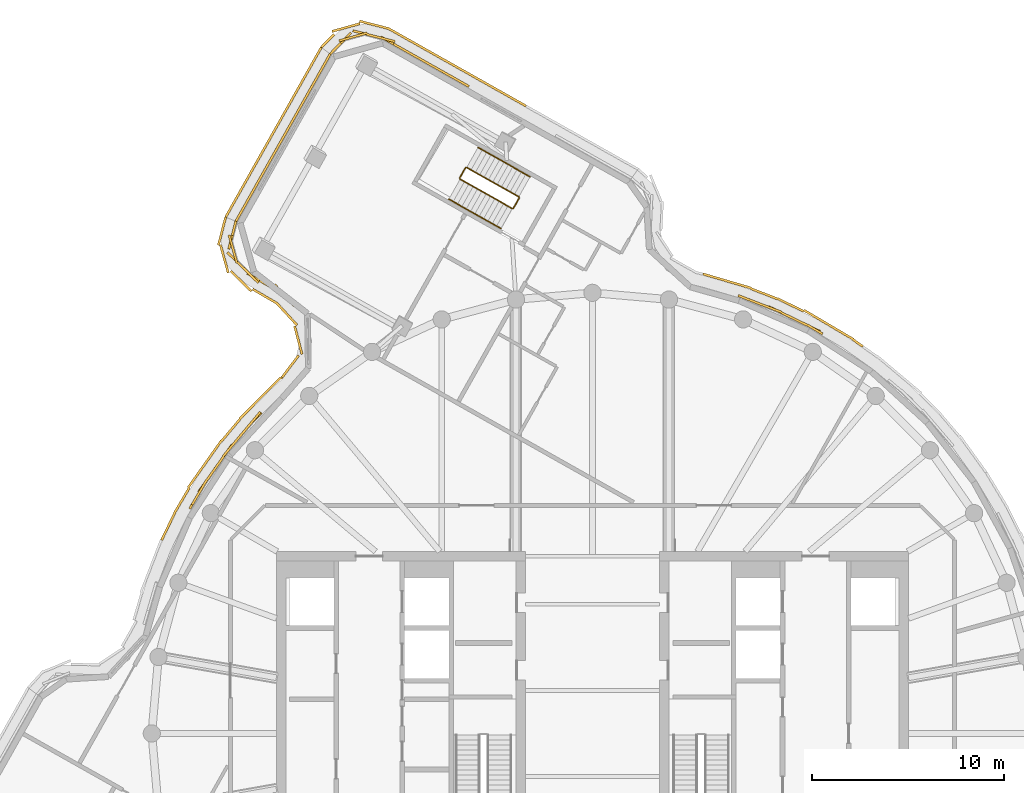
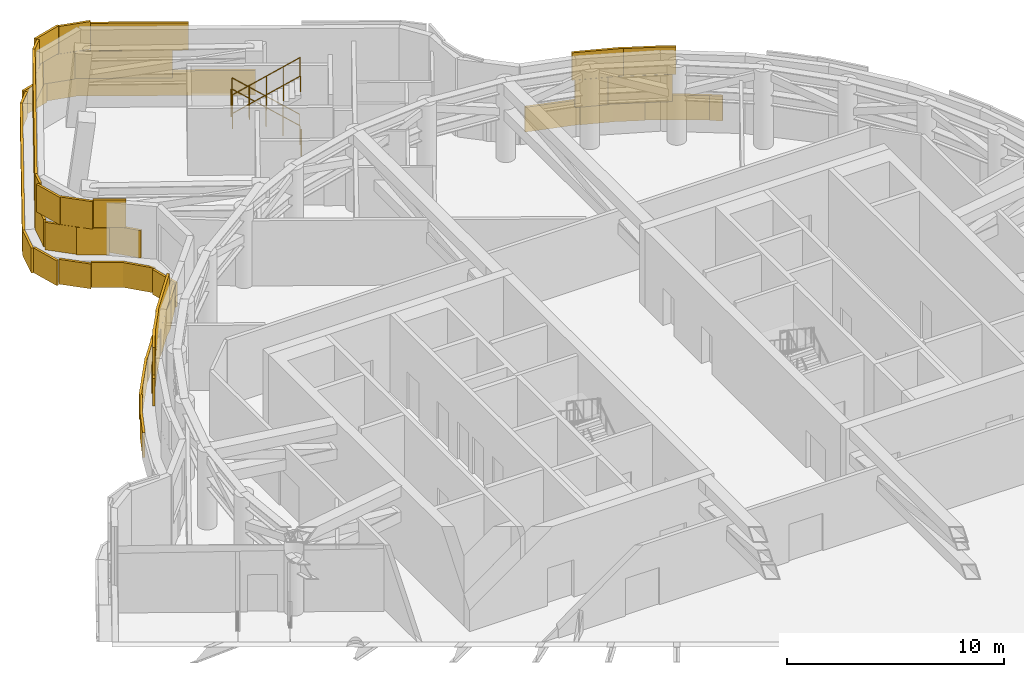
# One storey, part 14 of 15: 6 railings, 5 coverings.
"""IFC4 building model written with IfcOpenShell, lengths in metres."""

import ifcopenshell
import ifcopenshell.guid

model = None  # the IFC model being written
_history = None  # IfcOwnerHistory: only IFC2X3 demands one
_inside = {}  # id of a spatial element -> (the spatial element, [elements in it])
_under = {}  # id of a project, library or spatial element -> (it, [spatial elements below it])
_declared = {}  # id of a project -> (the project, [libraries it declares])
_typed = {}  # id of a type object -> (the type object, [elements of that type])
_made_of = {}  # id of a material, layer set ... -> (it, [elements and type objects made of it])


def new_model(schema):
    """Start an empty IFC model of exactly this schema.

    Asked for "IFC4X3", IfcOpenShell would pick the latest addendum, in which some entities
    have other attributes; the version numbers below select the first issue.
    IFC2X3 requires an IfcOwnerHistory on every rooted entity: one is made here for all.
    """
    global model, _history
    if schema == "IFC4X3":
        model = ifcopenshell.file(schema_version=(4, 3, 0, 0))
    else:
        model = ifcopenshell.file(schema=schema)
    _inside.clear()
    _under.clear()
    _declared.clear()
    _typed.clear()
    _made_of.clear()
    _history = None
    if model.schema == "IFC2X3":
        org = make("IfcOrganization", Name="unknown")
        user = make(
            "IfcPersonAndOrganization",
            ThePerson=make("IfcPerson", FamilyName="unknown"),
            TheOrganization=org,
        )
        app = make(
            "IfcApplication",
            ApplicationDeveloper=org,
            Version="unknown",
            ApplicationFullName="unknown",
            ApplicationIdentifier="unknown",
        )
        _history = make(
            "IfcOwnerHistory",
            OwningUser=user,
            OwningApplication=app,
            ChangeAction="ADDED",
            CreationDate=0,
        )
    return model


def make(cls, **values):
    """One entity of the class cls with the attributes given. An attribute that is None is left unset."""
    return model.create_entity(
        cls, **{name: value for name, value in values.items() if value is not None}
    )


def rooted(cls, **values):
    """An entity with a GlobalId (a new one), such as an element, a storey or a relation."""
    return make(cls, GlobalId=ifcopenshell.guid.new(), OwnerHistory=_history, **values)


def si_unit(unit_type, name, prefix=None):
    """IfcSIUnit, for example si_unit("LENGTHUNIT", "METRE", prefix="MILLI")."""
    return make("IfcSIUnit", UnitType=unit_type, Prefix=prefix, Name=name)


def assignment(units):
    """IfcUnitAssignment: the units of a project."""
    return None if units is None else make("IfcUnitAssignment", Units=units)


def point(xyz):
    """IfcCartesianPoint."""
    return None if xyz is None else make("IfcCartesianPoint", Coordinates=xyz)


def direction(xyz):
    """IfcDirection."""
    return None if xyz is None else make("IfcDirection", DirectionRatios=xyz)


def frame(location, z_axis=None, x_axis=None):
    """IfcAxis2Placement3D, a coordinate frame: its origin and axes. An axis left out is left unset."""
    return make(
        "IfcAxis2Placement3D",
        Location=point(location),
        Axis=direction(z_axis),
        RefDirection=direction(x_axis),
    )


def frame_2d(location, x_axis=None):
    """IfcAxis2Placement2D, a coordinate frame in the plane: its origin and x axis."""
    return make(
        "IfcAxis2Placement2D", Location=point(location), RefDirection=direction(x_axis)
    )


def origin():
    """The frame at (0, 0, 0) with its axes left unset."""
    return frame((0.0, 0.0, 0.0))


def origin_2d():
    """The frame at (0, 0) in the plane with its x axis left unset."""
    return frame_2d((0.0, 0.0))


def place(relative_to, where):
    """IfcLocalPlacement: puts the frame where relative to a parent placement (None: the world)."""
    return make(
        "IfcLocalPlacement", PlacementRelTo=relative_to, RelativePlacement=where
    )


def context(
    kind, dimensions, precision=None, world=None, true_north=None, identifier=None
):
    """IfcGeometricRepresentationContext, for example the 3D "Model" context."""
    return make(
        "IfcGeometricRepresentationContext",
        ContextIdentifier=identifier,
        ContextType=kind,
        CoordinateSpaceDimension=dimensions,
        Precision=precision,
        WorldCoordinateSystem=world,
        TrueNorth=true_north,
    )


def subcontext(parent, identifier, kind, view, scale=None):
    """IfcGeometricRepresentationSubContext, for example "Body" below "Model"."""
    return make(
        "IfcGeometricRepresentationSubContext",
        ContextIdentifier=identifier,
        ContextType=kind,
        ParentContext=parent,
        TargetScale=scale,
        TargetView=view,
    )


def project(units=None, contexts=None):
    """IfcProject with its units and contexts."""
    return rooted(
        "IfcProject",
        Name="project",
        RepresentationContexts=contexts,
        UnitsInContext=assignment(units),
    )


def spatial(cls, under=None, at=None, **own):
    """A site, building, storey or space (cls), placed at a placement, below another one or the project."""
    s = rooted(cls, ObjectPlacement=at, **own)
    if under is not None:
        _under.setdefault(under.id(), (under, []))[1].append(s)
    return s


def profile(cls, at=None, kind="AREA", **sizes):
    """A parametric profile (cls). Its sizes go by their IFC names, for example OverallWidth=200.0."""
    return make(cls, ProfileType=kind, Position=at, **sizes)


def rectangle(**sizes):
    """IfcRectangleProfileDef."""
    return profile("IfcRectangleProfileDef", **sizes)


def circle(**sizes):
    """IfcCircleProfileDef."""
    return profile("IfcCircleProfileDef", **sizes)


def extrude(swept, where, along, depth):
    """IfcExtrudedAreaSolid: the profile swept, set in the frame where, extruded along a direction by depth."""
    return make(
        "IfcExtrudedAreaSolid",
        SweptArea=swept,
        Position=where,
        ExtrudedDirection=direction(along),
        Depth=depth,
    )


def shape(context_of_items, identifier, shape_type, items):
    """IfcShapeRepresentation: the items that make up one representation, for example the "Body"."""
    return make(
        "IfcShapeRepresentation",
        ContextOfItems=context_of_items,
        RepresentationIdentifier=identifier,
        RepresentationType=shape_type,
        Items=items,
    )


def material(Name=None, Category=None):
    """IfcMaterial."""
    return make("IfcMaterial", Name=Name, Category=Category)


def layer(
    of_material, thickness, ventilated=None, Name=None, Category=None, Priority=None
):
    """IfcMaterialLayer: one layer of a wall or slab, of a material (None: an air gap)."""
    return make(
        "IfcMaterialLayer",
        Material=of_material,
        LayerThickness=thickness,
        IsVentilated=ventilated,
        Name=Name,
        Category=Category,
        Priority=Priority,
    )


def layer_set(layers, Name=None):
    """IfcMaterialLayerSet."""
    return make("IfcMaterialLayerSet", MaterialLayers=layers, LayerSetName=Name)


def made_of(thing, what):
    """Note that an element or type object is made of a material, layer set ...; save() writes the relation."""
    if what is not None:
        _made_of.setdefault(what.id(), (what, []))[1].append(thing)
    return thing


def type_object(cls, material=None, **own):
    """A type object (cls), such as IfcWallType, which elements share."""
    return made_of(rooted(cls, **own), material)


def element(
    cls,
    number,
    at=None,
    inside=None,
    cuts=None,
    type_object=None,
    material=None,
    context=None,
    identifier="Body",
    shape_type=None,
    held_by="IfcProductDefinitionShape",
    body=None,
    shapes=None,
    **own,
):
    """One element of the class cls, such as IfcWall. Its Tag is "e" and its number.

    at: its placement. inside: the storey or other place that contains it. cuts: it is an
    opening in that element (IfcRelVoidsElement). A single representation is given by context,
    identifier, shape_type and body (its items); several are given by shapes. held_by: the class
    of the entity that holds the representations. save() writes the other relations.
    """
    e = rooted(cls, Tag="e%d" % number, ObjectPlacement=at, **own)
    if body is not None:
        shapes = [shape(context, identifier, shape_type, body)]
    if shapes is not None:
        e.Representation = make(held_by, Representations=shapes)
    if inside is not None:
        _inside.setdefault(inside.id(), (inside, []))[1].append(e)
    if cuts is not None:
        rooted(
            "IfcRelVoidsElement", RelatingBuildingElement=cuts, RelatedOpeningElement=e
        )
    if type_object is not None:
        _typed.setdefault(type_object.id(), (type_object, []))[1].append(e)
    return made_of(e, material)


def aggregate(whole, parts):
    """IfcRelAggregates: a whole, such as a stair, and the parts it consists of."""
    return rooted("IfcRelAggregates", RelatingObject=whole, RelatedObjects=parts)


def save(model, path):
    """Write the relations noted so far, then the file.

    IfcRelAggregates (storeys below a building ...), IfcRelContainedInSpatialStructure (elements
    in a storey), IfcRelDefinesByType, IfcRelAssociatesMaterial and IfcRelDeclares: one each for
    every whole, place, type object, material and project.
    """
    for whole, parts in _under.values():
        aggregate(whole, parts)
    for where, things in _inside.values():
        rooted(
            "IfcRelContainedInSpatialStructure",
            RelatedElements=things,
            RelatingStructure=where,
        )
    for kind, things in _typed.values():
        rooted("IfcRelDefinesByType", RelatedObjects=things, RelatingType=kind)
    for what, things in _made_of.values():
        rooted("IfcRelAssociatesMaterial", RelatedObjects=things, RelatingMaterial=what)
    for by, libraries in _declared.values():
        rooted("IfcRelDeclares", RelatingContext=by, RelatedDefinitions=libraries)
    model.write(path)


model = new_model("IFC4")

# Units and contexts
model_context = context("Model", 3, precision=1e-05, world=origin(), true_north=direction((0.0, 1.0)))
body_context = subcontext(model_context, "Body", "Model", "MODEL_VIEW")
ifc_project = project(units=[si_unit("LENGTHUNIT", "METRE"), si_unit("AREAUNIT", "SQUARE_METRE"), si_unit("VOLUMEUNIT", "CUBIC_METRE"), si_unit("PLANEANGLEUNIT", "RADIAN"), si_unit("MASSUNIT", "GRAM", prefix="KILO")], contexts=[model_context])

# Site, building, storey
site_placement = place(None, origin())
site = spatial("IfcSite", under=ifc_project, at=site_placement, CompositionType="ELEMENT")
building_placement = place(site_placement, origin())
building = spatial("IfcBuilding", under=site, at=building_placement, Name="Tamarind Cross Interchange Tower", CompositionType="ELEMENT")
storey_placement = place(building_placement, frame((0.0, 0.0, 252.300048828125)))
storey = spatial("IfcBuildingStorey", under=building, at=storey_placement, Name="L64", CompositionType="ELEMENT", Elevation=252.300048828125)

# Railings
ifc_material_1 = material(Name="Stair guard")
railing_type_1 = type_object("IfcRailingType", Name="Stair guard", PredefinedType="GUARDRAIL", material=ifc_material_1)
railing_1_placement = place(storey_placement, frame((-3.843994140625, 28.011474609375, 0.173095703125)))
element("IfcRailing", 1, at=railing_1_placement, inside=storey, type_object=railing_type_1, Name="L64 ST4 stair guard 1", PredefinedType="GUARDRAIL", context=body_context, shape_type="SweptSolid", body=[
    extrude(circle(Radius=0.02392578125, at=origin_2d()), frame((0.0, 0.0, 1.076171875), z_axis=(-0.725214138026, 0.408629146487, 0.554154017083), x_axis=(-0.490896441465, -0.871217931265, 0.0)), (0.0, 0.0, 1.0), 3.747802734375),
    extrude(circle(Radius=0.02099609375, at=origin_2d()), origin(), (0.0, 0.0, 1.0), 1.052001953125),
    extrude(circle(Radius=0.02099609375, at=origin_2d()), frame((-0.679443359375, 0.3828125, 0.519287109375)), (0.0, 0.0, 1.0), 1.052001953125),
    extrude(circle(Radius=0.02099609375, at=origin_2d()), frame((-1.35888671875, 0.765625, 1.03857421875)), (0.0, 0.0, 1.0), 1.052001953125),
    extrude(circle(Radius=0.02099609375, at=origin_2d()), frame((-2.03857421875, 1.148681640625, 1.5576171875)), (0.0, 0.0, 1.0), 1.052001953125),
    extrude(circle(Radius=0.02099609375, at=origin_2d()), frame((-2.718017578125, 1.531494140625, 2.076904296875)), (0.0, 0.0, 1.0), 1.052001953125),
])
railing_2_placement = place(storey_placement, frame((-6.630126953125, 29.524169921875, 2.25)))
element("IfcRailing", 2, at=railing_2_placement, inside=storey, type_object=railing_type_1, Name="L64 ST4 stair guard 2", PredefinedType="GUARDRAIL", context=body_context, shape_type="SweptSolid", body=[
    extrude(circle(Radius=0.02392578125, at=origin_2d()), frame((0.0, 0.0, 1.076171875), z_axis=(-0.490917654423, -0.871205978271, 0.0), x_axis=(0.871205978271, -0.490917654423, 0.0)), (0.0, 0.0, 1.0), 0.600341796875),
    extrude(circle(Radius=0.02099609375, at=origin_2d()), origin(), (0.0, 0.0, 1.0), 1.052001953125),
    extrude(circle(Radius=0.02099609375, at=origin_2d()), frame((-0.294677734375, -0.52294921875, 0.0)), (0.0, 0.0, 1.0), 1.052001953125),
])
railing_3_placement = place(storey_placement, frame((-6.90576171875, 28.93310546875, 2.423095703125)))
element("IfcRailing", 3, at=railing_3_placement, inside=storey, type_object=railing_type_1, Name="L64 ST4 stair guard 3", PredefinedType="GUARDRAIL", context=body_context, shape_type="SweptSolid", body=[
    extrude(circle(Radius=0.02392578125, at=origin_2d()), frame((0.0, 0.0, 1.076171875), z_axis=(0.725245016844, -0.408609842883, 0.554127838898), x_axis=(0.490862975266, 0.871236787281, 0.0)), (0.0, 0.0, 1.0), 3.748046875),
    extrude(circle(Radius=0.02099609375, at=origin_2d()), origin(), (0.0, 0.0, 1.0), 1.052001953125),
    extrude(circle(Radius=0.02099609375, at=origin_2d()), frame((0.6796875, -0.3828125, 0.519287109375)), (0.0, 0.0, 1.0), 1.052001953125),
    extrude(circle(Radius=0.02099609375, at=origin_2d()), frame((1.359130859375, -0.765625, 1.03857421875)), (0.0, 0.0, 1.0), 1.052001953125),
    extrude(circle(Radius=0.02099609375, at=origin_2d()), frame((2.03857421875, -1.148681640625, 1.5576171875)), (0.0, 0.0, 1.0), 1.052001953125),
    extrude(circle(Radius=0.02099609375, at=origin_2d()), frame((2.71826171875, -1.531494140625, 2.076904296875)), (0.0, 0.0, 1.0), 1.052001953125),
])
railing_4_placement = place(storey_placement, frame((-3.824951171875, 27.943359375, 0.0)))
element("IfcRailing", 4, at=railing_4_placement, inside=storey, type_object=railing_type_1, Name="L64 ST4 stair guard 4", PredefinedType="GUARDRAIL", context=body_context, shape_type="SweptSolid", body=[
    extrude(circle(Radius=0.02392578125, at=origin_2d()), frame((0.0, 0.0, 1.076171875), z_axis=(-0.490782821851, -0.87128194161, 0.0), x_axis=(0.87128194161, -0.490782821851, 0.0)), (0.0, 0.0, 1.0), 0.599853515625),
    extrude(circle(Radius=0.02099609375, at=origin_2d()), origin(), (0.0, 0.0, 1.0), 1.052001953125),
    extrude(circle(Radius=0.02099609375, at=origin_2d()), frame((-0.29443359375, -0.522705078125, 0.0)), (0.0, 0.0, 1.0), 1.052001953125),
])
ifc_material_2 = material(Name="Stair handrail")
railing_type_2 = type_object("IfcRailingType", Name="Stair handrail", PredefinedType="HANDRAIL", material=ifc_material_2)
railing_5_placement = place(storey_placement, frame((-3.2548828125, 29.056884765625, 0.173095703125)))
element("IfcRailing", 5, at=railing_5_placement, inside=storey, type_object=railing_type_2, Name="L64 ST4 stair handrail 1", PredefinedType="HANDRAIL", context=body_context, shape_type="SweptSolid", body=[
    extrude(circle(Radius=0.02392578125, at=origin_2d()), frame((0.0, 0.0, 0.8759765625), z_axis=(-0.725194833154, 0.408683408174, 0.554139265754), x_axis=(-0.490955835548, -0.871184462408, 0.0)), (0.0, 0.0, 1.0), 3.748046875),
    extrude(circle(Radius=0.02099609375, at=origin_2d()), origin(), (0.0, 0.0, 1.0), 0.851806640625),
    extrude(circle(Radius=0.02099609375, at=origin_2d()), frame((-0.679443359375, 0.3828125, 0.519287109375)), (0.0, 0.0, 1.0), 0.851806640625),
    extrude(circle(Radius=0.02099609375, at=origin_2d()), frame((-1.35888671875, 0.765869140625, 1.03857421875)), (0.0, 0.0, 1.0), 0.851806640625),
    extrude(circle(Radius=0.02099609375, at=origin_2d()), frame((-2.03857421875, 1.14892578125, 1.5576171875)), (0.0, 0.0, 1.0), 0.851806640625),
    extrude(circle(Radius=0.02099609375, at=origin_2d()), frame((-2.718017578125, 1.53173828125, 2.076904296875)), (0.0, 0.0, 1.0), 0.851806640625),
])
railing_6_placement = place(storey_placement, frame((-7.494873046875, 27.8876953125, 2.423095703125)))
element("IfcRailing", 6, at=railing_6_placement, inside=storey, type_object=railing_type_2, Name="L64 ST4 stair handrail 2", PredefinedType="HANDRAIL", context=body_context, shape_type="SweptSolid", body=[
    extrude(circle(Radius=0.02392578125, at=origin_2d()), frame((0.0, 0.0, 0.8759765625), z_axis=(0.725245016844, -0.408609842883, 0.554127838898), x_axis=(0.490862975266, 0.871236787281, 0.0)), (0.0, 0.0, 1.0), 3.748046875),
    extrude(circle(Radius=0.02099609375, at=origin_2d()), origin(), (0.0, 0.0, 1.0), 0.851806640625),
    extrude(circle(Radius=0.02099609375, at=origin_2d()), frame((0.6796875, -0.3828125, 0.519287109375)), (0.0, 0.0, 1.0), 0.851806640625),
    extrude(circle(Radius=0.02099609375, at=origin_2d()), frame((1.359130859375, -0.765625, 1.03857421875)), (0.0, 0.0, 1.0), 0.851806640625),
    extrude(circle(Radius=0.02099609375, at=origin_2d()), frame((2.03857421875, -1.148681640625, 1.5576171875)), (0.0, 0.0, 1.0), 0.851806640625),
    extrude(circle(Radius=0.02099609375, at=origin_2d()), frame((2.71826171875, -1.531494140625, 2.076904296875)), (0.0, 0.0, 1.0), 0.851806640625),
])

# Coverings
ifc_material_3 = material(Name="Terracotta", Category="masonry")
ifc_layer = layer(ifc_material_3, 0.1201171875)
ifc_layer_set = layer_set([ifc_layer], Name="Terracotta")
covering_type = type_object("IfcCoveringType", Name="Terracotta baguette screen unit", PredefinedType="MOLDING", material=ifc_layer_set)
covering_1_placement = place(storey_placement, origin())
element("IfcCovering", 7, at=covering_1_placement, inside=storey, type_object=covering_type, Name="SCR-L64-01-10", PredefinedType="MOLDING", context=body_context, shape_type="SweptSolid", body=[
    extrude(rectangle(XDim=1.52001953125, YDim=0.1201171875, at=origin_2d()), frame((11.20556640625, 21.312744140625, 1.404052734375), z_axis=(0.0, 0.0, 1.0), x_axis=(-0.900272776334, 0.435326231914, 0.0)), (0.0, 0.0, 1.0), 1.5419921875),
    extrude(rectangle(XDim=1.52001953125, YDim=0.1201171875, at=origin_2d()), frame((9.855224609375, 21.9658203125, 1.404052734375), z_axis=(0.0, 0.0, 1.0), x_axis=(-0.900272776334, 0.435326231914, 0.0)), (0.0, 0.0, 1.0), 1.5419921875),
    extrude(rectangle(XDim=1.52001953125, YDim=0.1201171875, at=origin_2d()), frame((8.46533203125, 22.5283203125, 1.404052734375), z_axis=(0.0, 0.0, 1.0), x_axis=(-0.933146843667, 0.359495435512, 0.0)), (0.0, 0.0, 1.0), 1.5419921875),
    extrude(rectangle(XDim=0.935791015625, YDim=0.1201171875, at=origin_2d()), frame((11.611328125, 21.091064453125, 2.953857421875), z_axis=(0.0, 0.0, 1.0), x_axis=(-0.861248933065, 0.508183308752, 0.0)), (0.0, 0.0, 1.0), 1.5419921875),
    extrude(rectangle(XDim=1.52001953125, YDim=0.1201171875, at=origin_2d()), frame((10.5302734375, 21.639404296875, 2.953857421875), z_axis=(0.0, 0.0, 1.0), x_axis=(-0.900272776334, 0.435326231914, 0.0)), (0.0, 0.0, 1.0), 1.5419921875),
    extrude(rectangle(XDim=1.52001953125, YDim=0.1201171875, at=origin_2d()), frame((9.165283203125, 22.258544921875, 2.953857421875), z_axis=(0.0, 0.0, 1.0), x_axis=(-0.933146843667, 0.359495435512, 0.0)), (0.0, 0.0, 1.0), 1.5419921875),
    extrude(rectangle(XDim=0.920654296875, YDim=0.1201171875, at=origin_2d()), frame((8.04052734375, 22.69189453125, 2.953857421875), z_axis=(0.0, 0.0, 1.0), x_axis=(-0.933146843667, 0.359495435512, 0.0)), (0.0, 0.0, 1.0), 1.5419921875),
    extrude(rectangle(XDim=0.61328125, YDim=0.1201171875, at=origin_2d()), frame((13.85888671875, 20.37744140625, 0.00390625), z_axis=(0.0, 0.0, 1.0), x_axis=(-0.816341886298, 0.577568978284, 0.0)), (0.0, 0.0, 1.0), 1.39208984375),
    extrude(rectangle(XDim=1.52001953125, YDim=0.1201171875, at=origin_2d()), frame((12.98291015625, 20.948486328125, 0.00390625), z_axis=(0.0, 0.0, 1.0), x_axis=(-0.861248933065, 0.508183308752, 0.0)), (0.0, 0.0, 1.0), 1.39208984375),
    extrude(rectangle(XDim=1.52001953125, YDim=0.1201171875, at=origin_2d()), frame((11.69091796875, 21.710693359375, 0.00390625), z_axis=(0.0, 0.0, 1.0), x_axis=(-0.861248933065, 0.508183308752, 0.0)), (0.0, 0.0, 1.0), 1.39208984375),
    extrude(rectangle(XDim=1.52001953125, YDim=0.1201171875, at=origin_2d()), frame((10.3427734375, 22.36767578125, 0.00390625), z_axis=(0.0, 0.0, 1.0), x_axis=(-0.900272776334, 0.435326231914, 0.0)), (0.0, 0.0, 1.0), 1.39208984375),
    extrude(rectangle(XDim=1.52001953125, YDim=0.1201171875, at=origin_2d()), frame((8.96240234375, 22.951904296875, 0.00390625), z_axis=(0.0, 0.0, 1.0), x_axis=(-0.933146843667, 0.359495435512, 0.0)), (0.0, 0.0, 1.0), 1.39208984375),
    extrude(rectangle(XDim=1.52001953125, YDim=0.1201171875, at=origin_2d()), frame((7.552978515625, 23.462158203125, 0.00390625), z_axis=(0.0, 0.0, 1.0), x_axis=(-0.95964657186, 0.281208920763, 0.0)), (0.0, 0.0, 1.0), 1.39208984375),
    extrude(rectangle(XDim=1.11669921875, YDim=0.1201171875, at=origin_2d()), frame((6.306884765625, 23.827392578125, 0.00390625), z_axis=(0.0, 0.0, 1.0), x_axis=(-0.95964657186, 0.281208920763, 0.0)), (0.0, 0.0, 1.0), 1.39208984375),
])
covering_2_placement = place(storey_placement, origin())
element("IfcCovering", 8, at=covering_2_placement, inside=storey, type_object=covering_type, Name="SCR-L64-02-01", PredefinedType="MOLDING", context=body_context, shape_type="SweptSolid", body=[
    extrude(rectangle(XDim=1.52001953125, YDim=0.1201171875, at=origin_2d()), frame((-7.757080078125, 34.50927734375, 1.404052734375), z_axis=(0.0, 0.0, 1.0), x_axis=(-0.871200102162, 0.490928082303, 0.0)), (0.0, 0.0, 1.0), 1.5419921875),
    extrude(rectangle(XDim=1.52001953125, YDim=0.1201171875, at=origin_2d()), frame((-9.06396484375, 35.245849609375, 1.404052734375), z_axis=(0.0, 0.0, 1.0), x_axis=(-0.871200102162, 0.490928082303, 0.0)), (0.0, 0.0, 1.0), 1.5419921875),
    extrude(rectangle(XDim=1.52001953125, YDim=0.1201171875, at=origin_2d()), frame((-10.37060546875, 35.982177734375, 1.404052734375), z_axis=(0.0, 0.0, 1.0), x_axis=(-0.871200102162, 0.490928082303, 0.0)), (0.0, 0.0, 1.0), 1.5419921875),
    extrude(rectangle(XDim=1.52001953125, YDim=0.1201171875, at=origin_2d()), frame((-11.76904296875, 36.49072265625, 1.404052734375), z_axis=(0.0, 0.0, 1.0), x_axis=(-0.968576216019, 0.248716935012, 0.0)), (0.0, 0.0, 1.0), 1.5419921875),
    extrude(rectangle(XDim=1.52001953125, YDim=0.1201171875, at=origin_2d()), frame((-13.13916015625, 36.027587890625, 1.404052734375), z_axis=(0.0, 0.0, 1.0), x_axis=(-0.699683292082, -0.714453141068, 0.0)), (0.0, 0.0, 1.0), 1.5419921875),
    extrude(rectangle(XDim=0.04541015625, YDim=0.1201171875, at=origin_2d()), frame((-13.67626953125, 35.479248046875, 1.404052734375), z_axis=(0.0, 0.0, 1.0), x_axis=(-0.699683292082, -0.714453141068, 0.0)), (0.0, 0.0, 1.0), 1.5419921875),
    extrude(rectangle(XDim=1.52001953125, YDim=0.1201171875, at=origin_2d()), frame((-7.103759765625, 34.14111328125, 2.953857421875), z_axis=(0.0, 0.0, 1.0), x_axis=(-0.871200102162, 0.490928082303, 0.0)), (0.0, 0.0, 1.0), 1.5419921875),
    extrude(rectangle(XDim=1.52001953125, YDim=0.1201171875, at=origin_2d()), frame((-8.410400390625, 34.877685546875, 2.953857421875), z_axis=(0.0, 0.0, 1.0), x_axis=(-0.871200102162, 0.490928082303, 0.0)), (0.0, 0.0, 1.0), 1.5419921875),
    extrude(rectangle(XDim=1.52001953125, YDim=0.1201171875, at=origin_2d()), frame((-9.71728515625, 35.614013671875, 2.953857421875), z_axis=(0.0, 0.0, 1.0), x_axis=(-0.871200102162, 0.490928082303, 0.0)), (0.0, 0.0, 1.0), 1.5419921875),
    extrude(rectangle(XDim=1.52001953125, YDim=0.1201171875, at=origin_2d()), frame((-11.042724609375, 36.30419921875, 2.953857421875), z_axis=(0.0, 0.0, 1.0), x_axis=(-0.968576216019, 0.248716935012, 0.0)), (0.0, 0.0, 1.0), 1.5419921875),
    extrude(rectangle(XDim=1.52001953125, YDim=0.1201171875, at=origin_2d()), frame((-12.4921875, 36.356689453125, 2.953857421875), z_axis=(0.0, 0.0, 1.0), x_axis=(-0.96317007608, -0.268892923938, 0.0)), (0.0, 0.0, 1.0), 1.5419921875),
    extrude(rectangle(XDim=0.79541015625, YDim=0.1201171875, at=origin_2d()), frame((-13.4140625, 35.7470703125, 2.953857421875), z_axis=(0.0, 0.0, 1.0), x_axis=(-0.699683292082, -0.714453141068, 0.0)), (0.0, 0.0, 1.0), 1.5419921875),
    extrude(rectangle(XDim=0.796630859375, YDim=0.1201171875, at=origin_2d()), frame((-3.814208984375, 32.9462890625, 0.00390625), z_axis=(0.0, 0.0, 1.0), x_axis=(-0.871200102162, 0.490928082303, 0.0)), (0.0, 0.0, 1.0), 1.39208984375),
    extrude(rectangle(XDim=1.52001953125, YDim=0.1201171875, at=origin_2d()), frame((-4.805908203125, 33.505126953125, 0.00390625), z_axis=(0.0, 0.0, 1.0), x_axis=(-0.871200102162, 0.490928082303, 0.0)), (0.0, 0.0, 1.0), 1.39208984375),
    extrude(rectangle(XDim=1.52001953125, YDim=0.1201171875, at=origin_2d()), frame((-6.11279296875, 34.24169921875, 0.00390625), z_axis=(0.0, 0.0, 1.0), x_axis=(-0.871200102162, 0.490928082303, 0.0)), (0.0, 0.0, 1.0), 1.39208984375),
    extrude(rectangle(XDim=1.52001953125, YDim=0.1201171875, at=origin_2d()), frame((-7.41943359375, 34.97802734375, 0.00390625), z_axis=(0.0, 0.0, 1.0), x_axis=(-0.871200102162, 0.490928082303, 0.0)), (0.0, 0.0, 1.0), 1.39208984375),
    extrude(rectangle(XDim=1.52001953125, YDim=0.1201171875, at=origin_2d()), frame((-8.726318359375, 35.71435546875, 0.00390625), z_axis=(0.0, 0.0, 1.0), x_axis=(-0.871200102162, 0.490928082303, 0.0)), (0.0, 0.0, 1.0), 1.39208984375),
    extrude(rectangle(XDim=1.52001953125, YDim=0.1201171875, at=origin_2d()), frame((-10.033203125, 36.45068359375, 0.00390625), z_axis=(0.0, 0.0, 1.0), x_axis=(-0.871200102162, 0.490928082303, 0.0)), (0.0, 0.0, 1.0), 1.39208984375),
    extrude(rectangle(XDim=1.52001953125, YDim=0.1201171875, at=origin_2d()), frame((-11.41796875, 36.9931640625, 0.00390625), z_axis=(0.0, 0.0, 1.0), x_axis=(-0.968576216019, 0.248716935012, 0.0)), (0.0, 0.0, 1.0), 1.39208984375),
    extrude(rectangle(XDim=1.52001953125, YDim=0.1201171875, at=origin_2d()), frame((-12.865478515625, 36.848388671875, 0.00390625), z_axis=(0.0, 0.0, 1.0), x_axis=(-0.96317007608, -0.268892923938, 0.0)), (0.0, 0.0, 1.0), 1.39208984375),
    extrude(rectangle(XDim=0.951416015625, YDim=0.1201171875, at=origin_2d()), frame((-13.81884765625, 36.154052734375, 0.00390625), z_axis=(0.0, 0.0, 1.0), x_axis=(-0.699683292082, -0.714453141068, 0.0)), (0.0, 0.0, 1.0), 1.39208984375),
])
covering_3_placement = place(storey_placement, origin())
element("IfcCovering", 9, at=covering_3_placement, inside=storey, type_object=covering_type, Name="SCR-L64-03-00", PredefinedType="MOLDING", context=body_context, shape_type="SweptSolid", body=[
    extrude(rectangle(XDim=1.510009765625, YDim=0.1201171875, at=origin_2d()), frame((-14.056884765625, 34.813232421875, 1.404052734375), z_axis=(0.0, 0.0, 1.0), x_axis=(-0.490928082303, -0.871200102162, 0.0)), (0.0, 0.0, 1.0), 1.5419921875),
    extrude(rectangle(XDim=1.52001953125, YDim=0.1201171875, at=origin_2d()), frame((-14.79345703125, 33.50634765625, 1.404052734375), z_axis=(0.0, 0.0, 1.0), x_axis=(-0.490928082303, -0.871200102162, 0.0)), (0.0, 0.0, 1.0), 1.5419921875),
    extrude(rectangle(XDim=1.52001953125, YDim=0.1201171875, at=origin_2d()), frame((-15.52978515625, 32.199462890625, 1.404052734375), z_axis=(0.0, 0.0, 1.0), x_axis=(-0.490928082303, -0.871200102162, 0.0)), (0.0, 0.0, 1.0), 1.5419921875),
    extrude(rectangle(XDim=1.52001953125, YDim=0.1201171875, at=origin_2d()), frame((-16.26611328125, 30.892822265625, 1.404052734375), z_axis=(0.0, 0.0, 1.0), x_axis=(-0.490928082303, -0.871200102162, 0.0)), (0.0, 0.0, 1.0), 1.5419921875),
    extrude(rectangle(XDim=1.52001953125, YDim=0.1201171875, at=origin_2d()), frame((-17.00244140625, 29.5859375, 1.404052734375), z_axis=(0.0, 0.0, 1.0), x_axis=(-0.490928082303, -0.871200102162, 0.0)), (0.0, 0.0, 1.0), 1.5419921875),
    extrude(rectangle(XDim=1.52001953125, YDim=0.1201171875, at=origin_2d()), frame((-17.739013671875, 28.279052734375, 1.404052734375), z_axis=(0.0, 0.0, 1.0), x_axis=(-0.490928082303, -0.871200102162, 0.0)), (0.0, 0.0, 1.0), 1.5419921875),
    extrude(rectangle(XDim=1.03369140625, YDim=0.1201171875, at=origin_2d()), frame((-18.3583984375, 27.179931640625, 1.404052734375), z_axis=(0.0, 0.0, 1.0), x_axis=(-0.490928082303, -0.871200102162, 0.0)), (0.0, 0.0, 1.0), 1.5419921875),
    extrude(rectangle(XDim=0.760009765625, YDim=0.1201171875, at=origin_2d()), frame((-13.872802734375, 35.139892578125, 2.953857421875), z_axis=(0.0, 0.0, 1.0), x_axis=(-0.490928082303, -0.871200102162, 0.0)), (0.0, 0.0, 1.0), 1.5419921875),
    extrude(rectangle(XDim=1.52001953125, YDim=0.1201171875, at=origin_2d()), frame((-14.425048828125, 34.15966796875, 2.953857421875), z_axis=(0.0, 0.0, 1.0), x_axis=(-0.490928082303, -0.871200102162, 0.0)), (0.0, 0.0, 1.0), 1.5419921875),
    extrude(rectangle(XDim=1.52001953125, YDim=0.1201171875, at=origin_2d()), frame((-15.16162109375, 32.85302734375, 2.953857421875), z_axis=(0.0, 0.0, 1.0), x_axis=(-0.490928082303, -0.871200102162, 0.0)), (0.0, 0.0, 1.0), 1.5419921875),
    extrude(rectangle(XDim=1.52001953125, YDim=0.1201171875, at=origin_2d()), frame((-15.89794921875, 31.546142578125, 2.953857421875), z_axis=(0.0, 0.0, 1.0), x_axis=(-0.490928082303, -0.871200102162, 0.0)), (0.0, 0.0, 1.0), 1.5419921875),
    extrude(rectangle(XDim=1.52001953125, YDim=0.1201171875, at=origin_2d()), frame((-16.63427734375, 30.2392578125, 2.953857421875), z_axis=(0.0, 0.0, 1.0), x_axis=(-0.490928082303, -0.871200102162, 0.0)), (0.0, 0.0, 1.0), 1.5419921875),
    extrude(rectangle(XDim=1.52001953125, YDim=0.1201171875, at=origin_2d()), frame((-17.37060546875, 28.9326171875, 2.953857421875), z_axis=(0.0, 0.0, 1.0), x_axis=(-0.490928082303, -0.871200102162, 0.0)), (0.0, 0.0, 1.0), 1.5419921875),
    extrude(rectangle(XDim=1.52001953125, YDim=0.1201171875, at=origin_2d()), frame((-18.107177734375, 27.625732421875, 2.953857421875), z_axis=(0.0, 0.0, 1.0), x_axis=(-0.490928082303, -0.871200102162, 0.0)), (0.0, 0.0, 1.0), 1.5419921875),
    extrude(rectangle(XDim=0.28369140625, YDim=0.1201171875, at=origin_2d()), frame((-18.54248046875, 26.85302734375, 2.953857421875), z_axis=(0.0, 0.0, 1.0), x_axis=(-0.490928082303, -0.871200102162, 0.0)), (0.0, 0.0, 1.0), 1.5419921875),
    extrude(rectangle(XDim=1.510009765625, YDim=0.1201171875, at=origin_2d()), frame((-14.5224609375, 35.156494140625, 0.00390625), z_axis=(0.0, 0.0, 1.0), x_axis=(-0.490928082303, -0.871200102162, 0.0)), (0.0, 0.0, 1.0), 1.39208984375),
    extrude(rectangle(XDim=1.52001953125, YDim=0.1201171875, at=origin_2d()), frame((-15.25634765625, 33.85400390625, 0.00390625), z_axis=(0.0, 0.0, 1.0), x_axis=(-0.490928082303, -0.871200102162, 0.0)), (0.0, 0.0, 1.0), 1.39208984375),
    extrude(rectangle(XDim=1.52001953125, YDim=0.1201171875, at=origin_2d()), frame((-15.99267578125, 32.547119140625, 0.00390625), z_axis=(0.0, 0.0, 1.0), x_axis=(-0.490928082303, -0.871200102162, 0.0)), (0.0, 0.0, 1.0), 1.39208984375),
    extrude(rectangle(XDim=1.52001953125, YDim=0.1201171875, at=origin_2d()), frame((-16.72900390625, 31.240478515625, 0.00390625), z_axis=(0.0, 0.0, 1.0), x_axis=(-0.490928082303, -0.871200102162, 0.0)), (0.0, 0.0, 1.0), 1.39208984375),
    extrude(rectangle(XDim=1.52001953125, YDim=0.1201171875, at=origin_2d()), frame((-17.465576171875, 29.93359375, 0.00390625), z_axis=(0.0, 0.0, 1.0), x_axis=(-0.490928082303, -0.871200102162, 0.0)), (0.0, 0.0, 1.0), 1.39208984375),
    extrude(rectangle(XDim=1.52001953125, YDim=0.1201171875, at=origin_2d()), frame((-18.201904296875, 28.626708984375, 0.00390625), z_axis=(0.0, 0.0, 1.0), x_axis=(-0.490928082303, -0.871200102162, 0.0)), (0.0, 0.0, 1.0), 1.39208984375),
    extrude(rectangle(XDim=1.184814453125, YDim=0.1201171875, at=origin_2d()), frame((-18.85595703125, 27.466064453125, 0.00390625), z_axis=(0.0, 0.0, 1.0), x_axis=(-0.490928082303, -0.871200102162, 0.0)), (0.0, 0.0, 1.0), 1.39208984375),
])
covering_4_placement = place(storey_placement, origin())
element("IfcCovering", 10, at=covering_4_placement, inside=storey, type_object=covering_type, Name="SCR-L64-04-00", PredefinedType="MOLDING", context=body_context, shape_type="SweptSolid", body=[
    extrude(rectangle(XDim=1.510009765625, YDim=0.1201171875, at=origin_2d()), frame((-18.796142578125, 26.007568359375, 1.404052734375), z_axis=(0.0, 0.0, 1.0), x_axis=(-0.248716935012, -0.968576216019, 0.0)), (0.0, 0.0, 1.0), 1.5419921875),
    extrude(rectangle(XDim=1.52001953125, YDim=0.1201171875, at=origin_2d()), frame((-18.5166015625, 24.586181640625, 1.404052734375), z_axis=(0.0, 0.0, 1.0), x_axis=(0.714453141068, -0.699683292082, 0.0)), (0.0, 0.0, 1.0), 1.5419921875),
    extrude(rectangle(XDim=1.52001953125, YDim=0.1201171875, at=origin_2d()), frame((-17.366455078125, 23.639404296875, 1.404052734375), z_axis=(0.0, 0.0, 1.0), x_axis=(0.86401804354, -0.503460843002, 0.0)), (0.0, 0.0, 1.0), 1.5419921875),
    extrude(rectangle(XDim=1.52001953125, YDim=0.1201171875, at=origin_2d()), frame((-16.07763671875, 22.87548828125, 1.404052734375), z_axis=(0.0, 0.0, 1.0), x_axis=(0.676926748046, -0.736050390788, 0.0)), (0.0, 0.0, 1.0), 1.5419921875),
    extrude(rectangle(XDim=0.760009765625, YDim=0.1201171875, at=origin_2d()), frame((-18.702880859375, 26.37060546875, 2.953857421875), z_axis=(0.0, 0.0, 1.0), x_axis=(-0.248716935012, -0.968576216019, 0.0)), (0.0, 0.0, 1.0), 1.5419921875),
    extrude(rectangle(XDim=1.52001953125, YDim=0.1201171875, at=origin_2d()), frame((-18.7607421875, 25.283447265625, 2.953857421875), z_axis=(0.0, 0.0, 1.0), x_axis=(0.268892923938, -0.96317007608, 0.0)), (0.0, 0.0, 1.0), 1.5419921875),
    extrude(rectangle(XDim=1.52001953125, YDim=0.1201171875, at=origin_2d()), frame((-17.98095703125, 24.061279296875, 2.953857421875), z_axis=(0.0, 0.0, 1.0), x_axis=(0.714453141068, -0.699683292082, 0.0)), (0.0, 0.0, 1.0), 1.5419921875),
    extrude(rectangle(XDim=1.52001953125, YDim=0.1201171875, at=origin_2d()), frame((-16.718505859375, 23.261962890625, 2.953857421875), z_axis=(0.0, 0.0, 1.0), x_axis=(0.86401804354, -0.503460843002, 0.0)), (0.0, 0.0, 1.0), 1.5419921875),
    extrude(rectangle(XDim=1.510009765625, YDim=0.1201171875, at=origin_2d()), frame((-19.334716796875, 26.218505859375, 0.00390625), z_axis=(0.0, 0.0, 1.0), x_axis=(-0.248716935012, -0.968576216019, 0.0)), (0.0, 0.0, 1.0), 1.39208984375),
    extrude(rectangle(XDim=1.52001953125, YDim=0.1201171875, at=origin_2d()), frame((-19.215087890625, 24.775634765625, 0.00390625), z_axis=(0.0, 0.0, 1.0), x_axis=(0.268892923938, -0.96317007608, 0.0)), (0.0, 0.0, 1.0), 1.39208984375),
    extrude(rectangle(XDim=1.52001953125, YDim=0.1201171875, at=origin_2d()), frame((-18.340087890625, 23.60986328125, 0.00390625), z_axis=(0.0, 0.0, 1.0), x_axis=(0.714453141068, -0.699683292082, 0.0)), (0.0, 0.0, 1.0), 1.39208984375),
    extrude(rectangle(XDim=1.52001953125, YDim=0.1201171875, at=origin_2d()), frame((-17.07958984375, 22.807861328125, 0.00390625), z_axis=(0.0, 0.0, 1.0), x_axis=(0.86401804354, -0.503460843002, 0.0)), (0.0, 0.0, 1.0), 1.39208984375),
    extrude(rectangle(XDim=1.52001953125, YDim=0.1201171875, at=origin_2d()), frame((-15.931640625, 21.86865234375, 0.00390625), z_axis=(0.0, 0.0, 1.0), x_axis=(0.676926748046, -0.736050390788, 0.0)), (0.0, 0.0, 1.0), 1.39208984375),
    extrude(rectangle(XDim=1.52001953125, YDim=0.1201171875, at=origin_2d()), frame((-15.352294921875, 20.526611328125, 0.00390625), z_axis=(0.0, 0.0, 1.0), x_axis=(0.253048907365, -0.967453487503, 0.0)), (0.0, 0.0, 1.0), 1.39208984375),
    extrude(rectangle(XDim=1.438720703125, YDim=0.1201171875, at=origin_2d()), frame((-15.771484375, 19.159423828125, 0.00390625), z_axis=(0.0, 0.0, 1.0), x_axis=(-0.604675546867, -0.796471897195, 0.0)), (0.0, 0.0, 1.0), 1.39208984375),
])
covering_5_placement = place(storey_placement, origin())
element("IfcCovering", 11, at=covering_5_placement, inside=storey, type_object=covering_type, Name="SCR-L64-04-01", PredefinedType="MOLDING", context=body_context, shape_type="SweptSolid", body=[
    extrude(rectangle(XDim=0.778564453125, YDim=0.1201171875, at=origin_2d()), frame((-17.558349609375, 16.470947265625, 1.404052734375), z_axis=(0.0, 0.0, 1.0), x_axis=(-0.704057148523, -0.710143317658, 0.0)), (0.0, 0.0, 1.0), 1.5419921875),
    extrude(rectangle(XDim=1.52001953125, YDim=0.1201171875, at=origin_2d()), frame((-18.307861328125, 15.62060546875, 1.404052734375), z_axis=(0.0, 0.0, 1.0), x_axis=(-0.643009266048, -0.765858396687, 0.0)), (0.0, 0.0, 1.0), 1.5419921875),
    extrude(rectangle(XDim=1.52001953125, YDim=0.1201171875, at=origin_2d()), frame((-19.251953125, 14.455810546875, 1.404052734375), z_axis=(0.0, 0.0, 1.0), x_axis=(-0.577568978284, -0.816341886298, 0.0)), (0.0, 0.0, 1.0), 1.5419921875),
    extrude(rectangle(XDim=1.52001953125, YDim=0.1201171875, at=origin_2d()), frame((-20.118408203125, 13.2314453125, 1.404052734375), z_axis=(0.0, 0.0, 1.0), x_axis=(-0.577568978284, -0.816341886298, 0.0)), (0.0, 0.0, 1.0), 1.5419921875),
    extrude(rectangle(XDim=1.009033203125, YDim=0.1201171875, at=origin_2d()), frame((-20.765625, 12.1630859375, 1.404052734375), z_axis=(0.0, 0.0, 1.0), x_axis=(-0.508183308752, -0.861248933065, 0.0)), (0.0, 0.0, 1.0), 1.5419921875),
    extrude(rectangle(XDim=1.52001953125, YDim=0.1201171875, at=origin_2d()), frame((-17.82568359375, 16.19482421875, 2.953857421875), z_axis=(0.0, 0.0, 1.0), x_axis=(-0.643009266048, -0.765858396687, 0.0)), (0.0, 0.0, 1.0), 1.5419921875),
    extrude(rectangle(XDim=1.52001953125, YDim=0.1201171875, at=origin_2d()), frame((-18.790283203125, 15.046142578125, 2.953857421875), z_axis=(0.0, 0.0, 1.0), x_axis=(-0.643009266048, -0.765858396687, 0.0)), (0.0, 0.0, 1.0), 1.5419921875),
    extrude(rectangle(XDim=1.52001953125, YDim=0.1201171875, at=origin_2d()), frame((-19.68505859375, 13.84375, 2.953857421875), z_axis=(0.0, 0.0, 1.0), x_axis=(-0.577568978284, -0.816341886298, 0.0)), (0.0, 0.0, 1.0), 1.5419921875),
    extrude(rectangle(XDim=1.52001953125, YDim=0.1201171875, at=origin_2d()), frame((-20.51171875, 12.593505859375, 2.953857421875), z_axis=(0.0, 0.0, 1.0), x_axis=(-0.508183308752, -0.861248933065, 0.0)), (0.0, 0.0, 1.0), 1.5419921875),
    extrude(rectangle(XDim=0.081298828125, YDim=0.1201171875, at=origin_2d()), frame((-16.231201171875, 18.553955078125, 0.00390625), z_axis=(0.0, 0.0, 1.0), x_axis=(-0.604675546867, -0.796471897195, 0.0)), (0.0, 0.0, 1.0), 1.39208984375),
    extrude(rectangle(XDim=1.52001953125, YDim=0.1201171875, at=origin_2d()), frame((-16.814697265625, 18.036376953125, 0.00390625), z_axis=(0.0, 0.0, 1.0), x_axis=(-0.704057148523, -0.710143317658, 0.0)), (0.0, 0.0, 1.0), 1.39208984375),
    extrude(rectangle(XDim=1.52001953125, YDim=0.1201171875, at=origin_2d()), frame((-17.87060546875, 16.97119140625, 0.00390625), z_axis=(0.0, 0.0, 1.0), x_axis=(-0.704057148523, -0.710143317658, 0.0)), (0.0, 0.0, 1.0), 1.39208984375),
    extrude(rectangle(XDim=1.52001953125, YDim=0.1201171875, at=origin_2d()), frame((-18.864990234375, 15.849609375, 0.00390625), z_axis=(0.0, 0.0, 1.0), x_axis=(-0.643009266048, -0.765858396687, 0.0)), (0.0, 0.0, 1.0), 1.39208984375),
    extrude(rectangle(XDim=1.52001953125, YDim=0.1201171875, at=origin_2d()), frame((-19.798583984375, 14.677001953125, 0.00390625), z_axis=(0.0, 0.0, 1.0), x_axis=(-0.577568978284, -0.816341886298, 0.0)), (0.0, 0.0, 1.0), 1.39208984375),
    extrude(rectangle(XDim=1.52001953125, YDim=0.1201171875, at=origin_2d()), frame((-20.6650390625, 13.452392578125, 0.00390625), z_axis=(0.0, 0.0, 1.0), x_axis=(-0.577568978284, -0.816341886298, 0.0)), (0.0, 0.0, 1.0), 1.39208984375),
    extrude(rectangle(XDim=1.52001953125, YDim=0.1201171875, at=origin_2d()), frame((-21.431884765625, 12.16357421875, 0.00390625), z_axis=(0.0, 0.0, 1.0), x_axis=(-0.508183308752, -0.861248933065, 0.0)), (0.0, 0.0, 1.0), 1.39208984375),
    extrude(rectangle(XDim=1.52001953125, YDim=0.1201171875, at=origin_2d()), frame((-22.12890625, 10.836669921875, 0.00390625), z_axis=(0.0, 0.0, 1.0), x_axis=(-0.435326231914, -0.900272776334, 0.0)), (0.0, 0.0, 1.0), 1.39208984375),
    extrude(rectangle(XDim=0.085205078125, YDim=0.1201171875, at=origin_2d()), frame((-22.469482421875, 10.13232421875, 0.00390625), z_axis=(0.0, 0.0, 1.0), x_axis=(-0.435326231914, -0.900272776334, 0.0)), (0.0, 0.0, 1.0), 1.39208984375),
])

save(model, "model.ifc")
